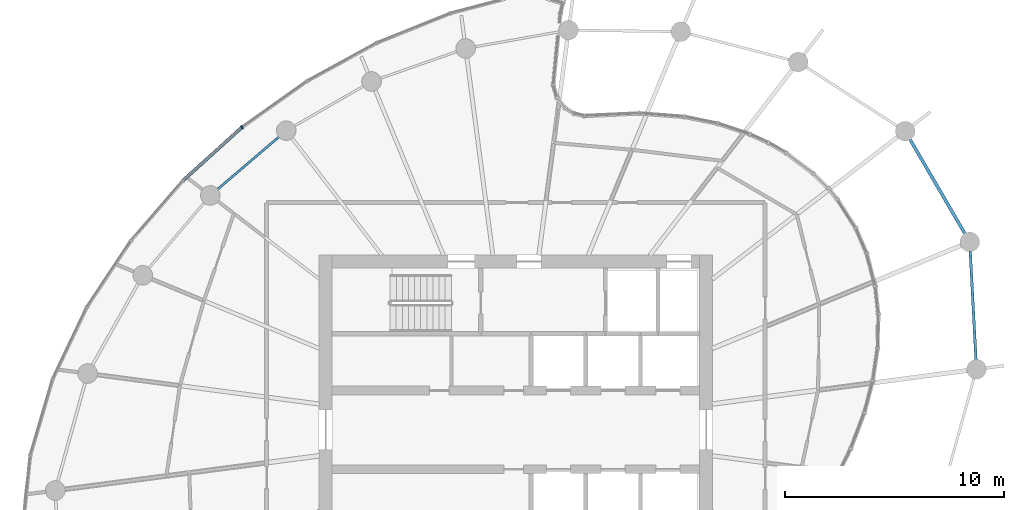
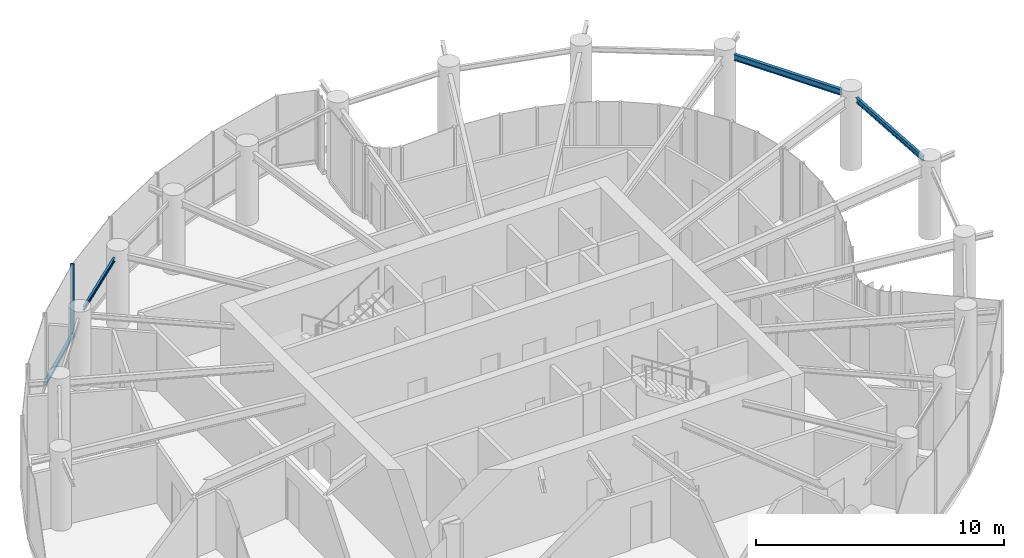
# One storey, part 6 of 17: 3 beams, 2 members, 1 element without a shape of its own.
"""IFC4 building model written with IfcOpenShell, lengths in metres."""

from ifc_helpers import new_model, si_unit, direction, frame, origin, origin_2d, place, context, subcontext, project, spatial, rectangle, i_section, extrude, source, transform, mapped, material, layer, layer_set, material_profile, profile_set, type_object, element, aggregate, save


model = new_model("IFC4")

# Units and contexts
model_context = context("Model", 3, precision=1e-05, world=origin(), true_north=direction((0.0, 1.0)))
body_context = subcontext(model_context, "Body", "Model", "MODEL_VIEW")
ifc_project = project(units=[si_unit("LENGTHUNIT", "METRE"), si_unit("AREAUNIT", "SQUARE_METRE"), si_unit("VOLUMEUNIT", "CUBIC_METRE"), si_unit("PLANEANGLEUNIT", "RADIAN"), si_unit("MASSUNIT", "GRAM", prefix="KILO")], contexts=[model_context])

# Site, building, storey
site_placement = place(None, origin())
site = spatial("IfcSite", under=ifc_project, at=site_placement, CompositionType="ELEMENT")
building_placement = place(site_placement, origin())
building = spatial("IfcBuilding", under=site, at=building_placement, Name="Spindrift Exchange Tower", CompositionType="ELEMENT")
storey_placement = place(building_placement, frame((0.0, 0.0, 187.699951171875)))
storey = spatial("IfcBuildingStorey", under=building, at=storey_placement, Name="L45", CompositionType="ELEMENT", Elevation=187.699951171875)

# Beams
ifc_material_1 = material(Name="Steel Grade 300", Category="steel")
ifc_material_profile_1 = material_profile(ifc_material_1, i_section(OverallWidth=0.1240234375, OverallDepth=0.248046875, WebThickness=0.0048828125, FlangeThickness=0.008056640625, FilletRadius=0.011962890625, at=origin_2d()), Name="250UB25.7")
ifc_profile_set_1 = profile_set([ifc_material_profile_1], Name="Steel Grade 300")
beam_type_1 = type_object("IfcBeamType", Name="Edge Beam 250UB25.7 Steel Grade 300", PredefinedType="SPANDREL", material=ifc_profile_set_1)
shared_shape_1 = source(origin(), body_context, "Body", "SweptSolid", [
    extrude(i_section(OverallWidth=0.1240234375, OverallDepth=0.248046875, WebThickness=0.0048828125, FlangeThickness=0.008056640625, FilletRadius=0.011962890625, at=origin_2d()), origin(), (0.0, 0.0, 1.0), 4.971435546875),
])
beam_1_placement = place(storey_placement, frame((73.03955078125, 51.202392578125, 3.4560546875), z_axis=(-0.053038255124, 0.998592481192, 0.0), x_axis=(-0.998592481192, -0.053038255124, 0.0)))
element("IfcBeam", 1, at=beam_1_placement, inside=storey, type_object=beam_type_1, Name="L45 edge beam E01", PredefinedType="SPANDREL", context=body_context, shape_type="MappedRepresentation", body=[
    mapped(shared_shape_1, transform((0.0, 0.0, 0.0), scale=1.0)),
])
ifc_material_profile_2 = material_profile(ifc_material_1, i_section(OverallWidth=0.14892578125, OverallDepth=0.298095703125, WebThickness=0.005615234375, FlangeThickness=0.008056640625, FilletRadius=0.012939453125, at=origin_2d()), Name="310UB32.0")
ifc_profile_set_2 = profile_set([ifc_material_profile_2], Name="Steel Grade 300")
beam_type_2 = type_object("IfcBeamType", Name="Edge Beam 310UB32.0 Steel Grade 300", PredefinedType="SPANDREL", material=ifc_profile_set_2)
shared_shape_2 = source(origin(), body_context, "Body", "SweptSolid", [
    extrude(i_section(OverallWidth=0.14892578125, OverallDepth=0.298095703125, WebThickness=0.005615234375, FlangeThickness=0.008056640625, FilletRadius=0.012939453125, at=origin_2d()), origin(), (0.0, 0.0, 1.0), 5.0009765625),
])
beam_2_placement = place(storey_placement, frame((72.53662109375, 56.9677734375, 3.43115234375), z_axis=(-0.503512812094, 0.863987759205, 0.0), x_axis=(-0.863987759205, -0.503512812094, 0.0)))
element("IfcBeam", 2, at=beam_2_placement, inside=storey, type_object=beam_type_2, Name="L45 edge beam E02", PredefinedType="SPANDREL", context=body_context, shape_type="MappedRepresentation", body=[
    mapped(shared_shape_2, transform((0.0, 0.0, 0.0), scale=1.0)),
])
ifc_material_profile_3 = material_profile(ifc_material_1, i_section(OverallWidth=0.09912109375, OverallDepth=0.197998046875, WebThickness=0.00439453125, FlangeThickness=0.007080078125, FilletRadius=0.010986328125, at=origin_2d()), Name="200UB18.2")
ifc_profile_set_3 = profile_set([ifc_material_profile_3], Name="Steel Grade 300")
beam_type_3 = type_object("IfcBeamType", Name="Edge Beam 200UB18.2 Steel Grade 300", PredefinedType="SPANDREL", material=ifc_profile_set_3)
shared_shape_3 = source(origin(), body_context, "Body", "SweptSolid", [
    extrude(i_section(OverallWidth=0.09912109375, OverallDepth=0.197998046875, WebThickness=0.00439453125, FlangeThickness=0.007080078125, FilletRadius=0.010986328125, at=origin_2d()), origin(), (0.0, 0.0, 1.0), 3.703857421875),
])
beam_3_placement = place(storey_placement, frame((41.173583984375, 61.40380859375, 3.48095703125), z_axis=(-0.7606692863, -0.64913961278, 0.0), x_axis=(0.64913961278, -0.7606692863, 0.0)))
element("IfcBeam", 3, at=beam_3_placement, inside=storey, type_object=beam_type_3, Name="L45 edge beam E09", PredefinedType="SPANDREL", context=body_context, shape_type="MappedRepresentation", body=[
    mapped(shared_shape_3, transform((0.0, 0.0, 0.0), scale=1.0)),
])

# Curtain wall, members
ifc_material_2 = material(Name="Fritted laminated glass with bronze frame", Category="glass")
ifc_layer = layer(ifc_material_2, 0.169921875)
ifc_layer_set = layer_set([ifc_layer], Name="ZONE 4 BRONZE FRITTED WALL")
curtain_wall_type = type_object("IfcCurtainWallType", Name="ZONE 4 BRONZE FRITTED WALL", PredefinedType="NOTDEFINED", material=ifc_layer_set)
curtain_wall_placement = place(storey_placement, origin())
curtain_wall = element("IfcCurtainWall", 4, at=curtain_wall_placement, inside=storey, type_object=curtain_wall_type, Name="L45 Zone 4 Bronze Fritted Wall run 1", PredefinedType="NOTDEFINED")
ifc_material_3 = material(Name="Bronze anodised aluminium", Category="aluminium")
ifc_material_profile_4 = material_profile(ifc_material_3, rectangle(XDim=0.14990234375, YDim=0.125, at=origin_2d()), Name="ZONE 4 BRONZE FRITTED WALL TRANSOM 150X125")
ifc_profile_set_4 = profile_set([ifc_material_profile_4], Name="Bronze anodised aluminium")
member_type_1 = type_object("IfcMemberType", Name="ZONE 4 BRONZE FRITTED WALL TRANSOM 150X125", PredefinedType="USERDEFINED", material=ifc_profile_set_4)
shared_shape_4 = source(origin(), body_context, "Body", "SweptSolid", [
    extrude(rectangle(XDim=0.14990234375, YDim=0.125, at=origin_2d()), origin(), (0.0, 0.0, 1.0), 3.57763671875),
])
member_1_placement = place(storey_placement, frame((39.452880859375, 61.82080078125, 0.0625), z_axis=(-0.741894565999, -0.670516556798, 0.0), x_axis=(0.670516556798, -0.741894565999, 0.0)))
member_1 = element("IfcMember", 5, at=member_1_placement, type_object=member_type_1, Name="L45 transom CW-4.5", ObjectType="TRANSOM", PredefinedType="USERDEFINED", context=body_context, shape_type="MappedRepresentation", body=[
    mapped(shared_shape_4, transform((0.0, 0.0, 0.0), scale=1.0)),
])
ifc_material_profile_5 = material_profile(ifc_material_3, rectangle(XDim=0.06494140625, YDim=0.169921875, at=origin_2d()), Name="ZONE 4 BRONZE FRITTED WALL MULLION 65X170")
ifc_profile_set_5 = profile_set([ifc_material_profile_5], Name="Bronze anodised aluminium")
member_type_2 = type_object("IfcMemberType", Name="ZONE 4 BRONZE FRITTED WALL MULLION 65X170", PredefinedType="MULLION", material=ifc_profile_set_5)
shared_shape_5 = source(origin(), body_context, "Body", "SweptSolid", [
    extrude(rectangle(XDim=0.06494140625, YDim=0.169921875, at=origin_2d()), origin(), (0.0, 0.0, 1.0), 3.580078125),
])
member_2_placement = place(storey_placement, frame((39.47705078125, 61.8427734375, 0.0), z_axis=(0.0, 0.0, 1.0), x_axis=(-0.779909662334, -0.625892098207, 0.0)))
member_2 = element("IfcMember", 6, at=member_2_placement, type_object=member_type_2, Name="L45 mullion CW-4.5", PredefinedType="MULLION", context=body_context, shape_type="MappedRepresentation", body=[
    mapped(shared_shape_5, transform((0.0, 0.0, 0.0), scale=1.0)),
])
aggregate(curtain_wall, [member_2, member_1])

save(model, "model.ifc")
